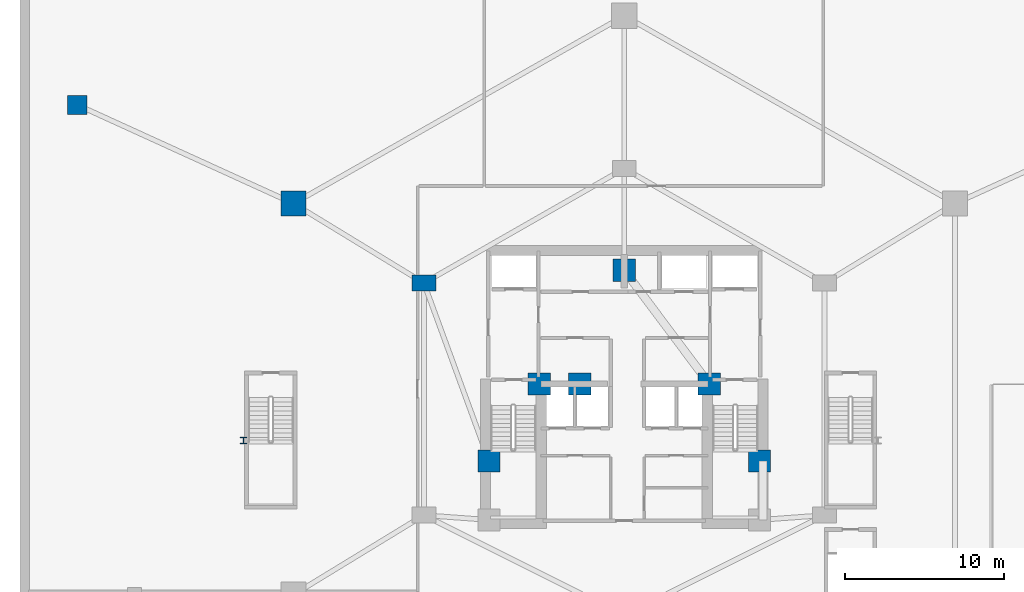
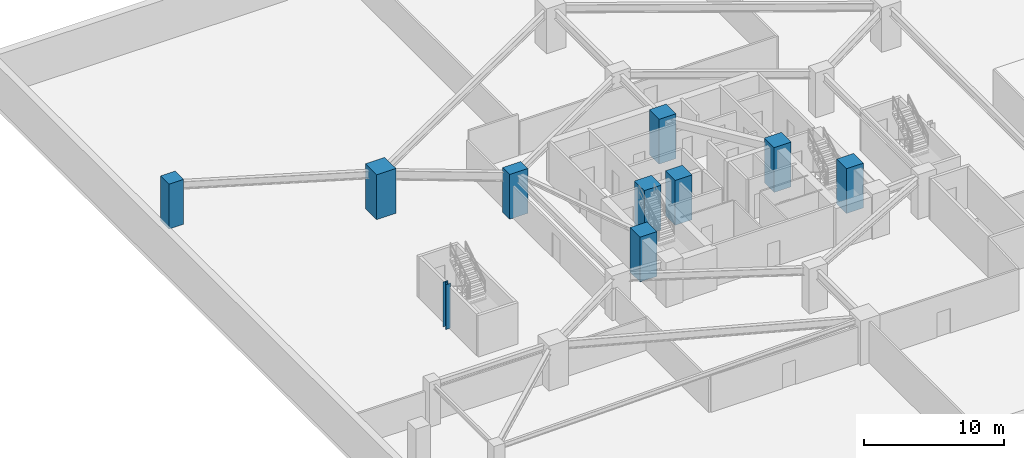
# One storey, part 2 of 10: 10 columns.
"""IFC4 building model written with IfcOpenShell, lengths in metres."""

from ifc_helpers import new_model, si_unit, direction, frame, origin, origin_2d, place, context, subcontext, project, spatial, rectangle, i_section, extrude, material, material_profile, profile_set, type_object, element, save


model = new_model("IFC4")

# Units and contexts
model_context = context("Model", 3, precision=1e-05, world=origin(), true_north=direction((0.0, 1.0)))
body_context = subcontext(model_context, "Body", "Model", "MODEL_VIEW")
ifc_project = project(units=[si_unit("LENGTHUNIT", "METRE"), si_unit("AREAUNIT", "SQUARE_METRE"), si_unit("VOLUMEUNIT", "CUBIC_METRE"), si_unit("PLANEANGLEUNIT", "RADIAN"), si_unit("MASSUNIT", "GRAM", prefix="KILO")], contexts=[model_context])

# Site, building, storey
site_placement = place(None, origin())
site = spatial("IfcSite", under=ifc_project, at=site_placement, CompositionType="ELEMENT")
building_placement = place(site_placement, origin())
building = spatial("IfcBuilding", under=site, at=building_placement, Name="Miruveldt Soraemaru", CompositionType="ELEMENT")
storey_placement = place(building_placement, frame((0.0, 0.0, -3.89990234375)))
storey = spatial("IfcBuildingStorey", under=building, at=storey_placement, Name="B1", CompositionType="ELEMENT", Elevation=-3.89990234375)

# Columns
ifc_material_1 = material(Name="Concrete C70/85 (70 MPa)", Category="concrete")
ifc_material_profile_1 = material_profile(ifc_material_1, rectangle(XDim=1.199951171875, YDim=1.199951171875, at=origin_2d()), Name="Concrete C70/85 (70 MPa)", Category="concrete")
ifc_profile_set_1 = profile_set([ifc_material_profile_1], Name="Concrete C70/85 (70 MPa)")
column_type_1 = type_object("IfcColumnType", Name="COL-CORE-1200", PredefinedType="COLUMN", material=ifc_profile_set_1)
column_1_placement = place(storey_placement, frame((9.60009765625, 61.60009765625, 0.0), z_axis=(0.0, 0.0, 1.0), x_axis=(1.0, 0.0, 0.0)))
element("IfcColumn", 1, at=column_1_placement, inside=storey, type_object=column_type_1, Name="B1 Structural Column BC2", PredefinedType="COLUMN", context=body_context, shape_type="SweptSolid", body=[
    extrude(rectangle(XDim=1.199951171875, YDim=1.199951171875, at=origin_2d()), origin(), (0.0, 0.0, 1.0), 3.89990234375),
])
ifc_material_2 = material(Name="Concrete C80/95 (80 MPa)", Category="concrete")
ifc_material_profile_2 = material_profile(ifc_material_2, rectangle(XDim=1.39990234375, YDim=1.39990234375, at=origin_2d()), Name="Concrete C80/95 (80 MPa)", Category="concrete")
ifc_profile_set_2 = profile_set([ifc_material_profile_2], Name="Concrete C80/95 (80 MPa)")
column_type_2 = type_object("IfcColumnType", Name="COL-MEGA-1400", PredefinedType="COLUMN", material=ifc_profile_set_2)
for number, where, z_axis, x_axis, name in (
    (2, (38.64990234375, 44.050048828125, 0.0), (0.0, 0.0, 1.0), (1.0, 0.0, 0.0), "B1 Structural Column CC2"),
    (3, (52.5, 39.199951171875, 0.0), (0.0, 0.0, 1.0), (1.0, 0.0, 0.0), "B1 Structural Column CC4"),
    (4, (49.35009765625, 44.050048828125, 0.0), (0.0, 0.0, 1.0), (1.0, 0.0, 0.0), "B1 Structural Column CC5"),
    (5, (44.0, 51.199951171875, 0.0), (0.0, 0.0, 1.0), (1.0, 0.0, 0.0), "B1 Structural Column CC6"),
    (6, (35.5, 39.199951171875, 0.0), (0.0, 0.0, 1.0), (1.0, 0.0, 0.0), "B1 Structural Column CC7"),
    (7, (41.199951171875, 44.050048828125, 0.0), (0.0, 0.0, 1.0), (1.0, 0.0, 0.0), "B1 Structural Column CC8"),
):
    element("IfcColumn", number, at=place(storey_placement, frame(where, z_axis=z_axis, x_axis=x_axis)), inside=storey, type_object=column_type_2, Name=name, PredefinedType="COLUMN", context=body_context, shape_type="SweptSolid", body=[
        extrude(rectangle(XDim=1.39990234375, YDim=1.39990234375, at=origin_2d()), origin(), (0.0, 0.0, 1.0), 3.89990234375),
    ])
ifc_material_profile_3 = material_profile(ifc_material_2, rectangle(XDim=1.60009765625, YDim=1.60009765625, at=origin_2d()), Name="Concrete C80/95 (80 MPa)", Category="concrete")
ifc_profile_set_3 = profile_set([ifc_material_profile_3], Name="Concrete C80/95 (80 MPa)")
column_type_3 = type_object("IfcColumnType", Name="COL-MEGA-1600", PredefinedType="COLUMN", material=ifc_profile_set_3)
column_2_placement = place(storey_placement, frame((23.199951171875, 55.39990234375, 0.0), z_axis=(0.0, 0.0, 1.0), x_axis=(1.0, 0.0, 0.0)))
element("IfcColumn", 8, at=column_2_placement, inside=storey, type_object=column_type_3, Name="B1 Structural Column PM06", PredefinedType="COLUMN", context=body_context, shape_type="SweptSolid", body=[
    extrude(rectangle(XDim=1.60009765625, YDim=1.60009765625, at=origin_2d()), origin(), (0.0, 0.0, 1.0), 3.89990234375),
])
ifc_material_3 = material(Name="Steel S460 (460 MPa)", Category="steel")
ifc_material_profile_4 = material_profile(ifc_material_3, i_section(OverallWidth=0.39990234375, OverallDepth=0.39990234375, WebThickness=0.012939453125, FlangeThickness=0.02099609375, FilletRadius=0.02197265625, at=origin_2d()), Name="Steel S460 (460 MPa)", Category="steel")
ifc_profile_set_4 = profile_set([ifc_material_profile_4], Name="Steel S460 (460 MPa)")
column_type_4 = type_object("IfcColumnType", Name="COL-PIL-400", PredefinedType="PILASTER", material=ifc_profile_set_4)
column_3_placement = place(storey_placement, frame((20.050048828125, 40.5, 0.0), z_axis=(0.0, 0.0, 1.0), x_axis=(1.0, 0.0, 0.0)))
element("IfcColumn", 9, at=column_3_placement, inside=storey, type_object=column_type_4, Name="B1 Structural Column PIL1", PredefinedType="PILASTER", context=body_context, shape_type="SweptSolid", body=[
    extrude(i_section(OverallWidth=0.39990234375, OverallDepth=0.39990234375, WebThickness=0.012939453125, FlangeThickness=0.02099609375, FilletRadius=0.02197265625, at=origin_2d()), origin(), (0.0, 0.0, 1.0), 3.89990234375),
])
ifc_material_profile_5 = material_profile(ifc_material_2, rectangle(XDim=1.5, YDim=1.0, at=origin_2d()), Name="Concrete C80/95 (80 MPa)", Category="concrete")
ifc_profile_set_5 = profile_set([ifc_material_profile_5], Name="Concrete C80/95 (80 MPa)")
column_type_5 = type_object("IfcColumnType", Name="COL-TW-Z1A", PredefinedType="COLUMN", material=ifc_profile_set_5)
column_4_placement = place(storey_placement, frame((31.39990234375, 50.39990234375, 0.0), z_axis=(0.0, 0.0, 1.0), x_axis=(1.0, 0.0, 0.0)))
element("IfcColumn", 10, at=column_4_placement, inside=storey, type_object=column_type_5, Name="B1 Structural Column IR06", PredefinedType="COLUMN", context=body_context, shape_type="SweptSolid", body=[
    extrude(rectangle(XDim=1.5, YDim=1.0, at=origin_2d()), origin(), (0.0, 0.0, 1.0), 3.89990234375),
])

save(model, "model.ifc")
